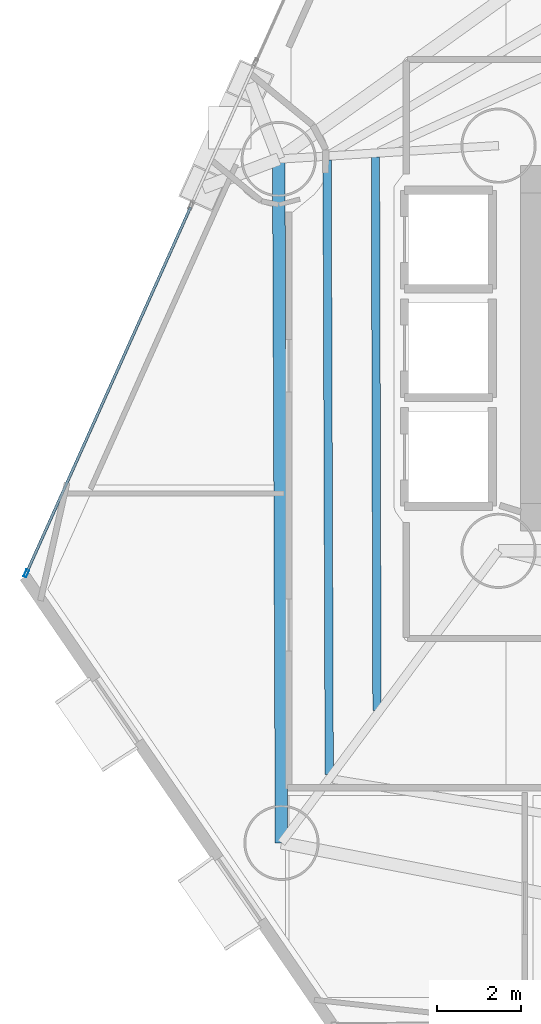
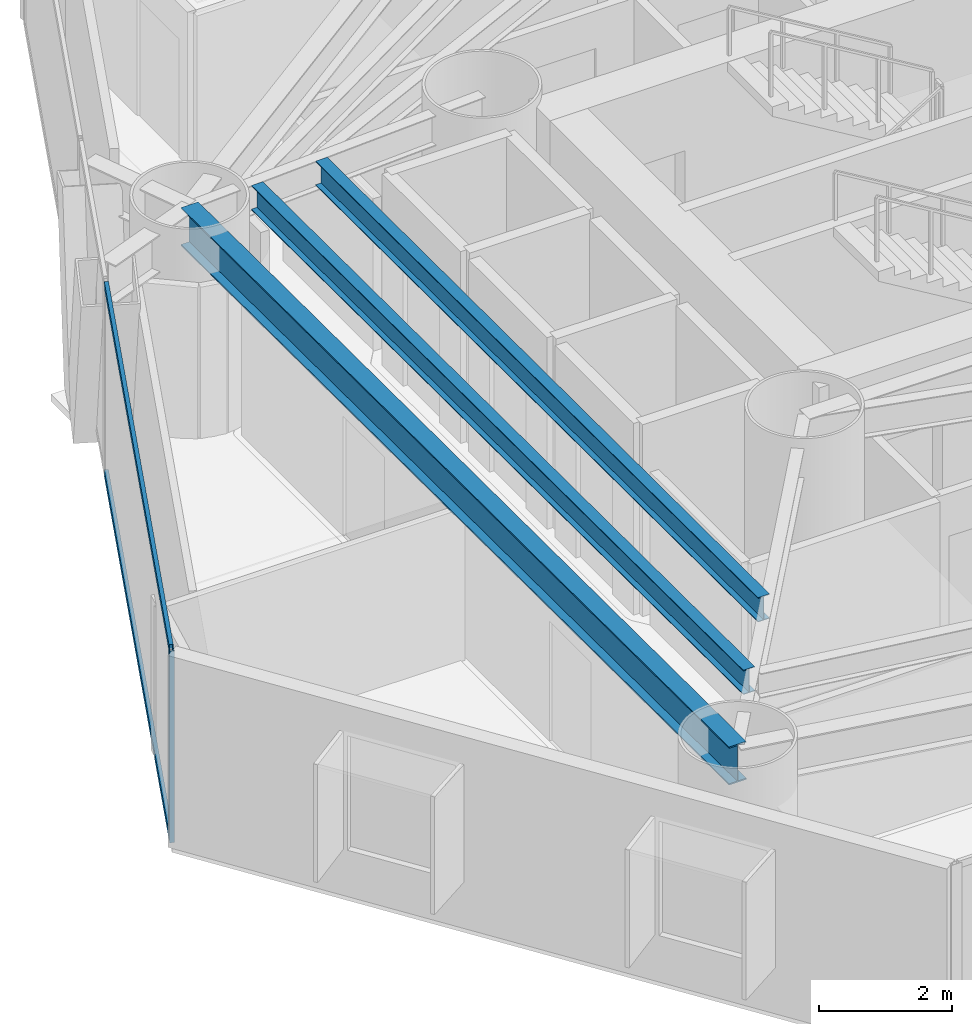
# One storey, part 4 of 22: 3 beams, 3 members, 1 element without a shape of its own.
"""IFC4 building model written with IfcOpenShell, lengths in metres."""

from ifc_helpers import new_model, si_unit, direction, frame, origin, origin_2d, place, context, subcontext, project, spatial, hollow_rectangle, i_section, extrude, material, layer, layer_set, material_profile, profile_set, type_object, element, aggregate, save


model = new_model("IFC4")

# Units and contexts
model_context = context("Model", 3, precision=1e-05, world=origin(), true_north=direction((0.0, 1.0)))
body_context = subcontext(model_context, "Body", "Model", "MODEL_VIEW")
ifc_project = project(units=[si_unit("LENGTHUNIT", "METRE"), si_unit("AREAUNIT", "SQUARE_METRE"), si_unit("VOLUMEUNIT", "CUBIC_METRE"), si_unit("PLANEANGLEUNIT", "RADIAN"), si_unit("MASSUNIT", "GRAM", prefix="KILO")], contexts=[model_context])

# Site, building, storey
site_placement = place(None, origin())
site = spatial("IfcSite", under=ifc_project, at=site_placement, CompositionType="ELEMENT")
building_placement = place(site_placement, origin())
building = spatial("IfcBuilding", under=site, at=building_placement, Name="Qianvela Tower", CompositionType="ELEMENT")
storey_placement = place(building_placement, frame((0.0, 0.0, 40.5)))
storey = spatial("IfcBuildingStorey", under=building, at=storey_placement, Name="L09", CompositionType="ELEMENT", Elevation=40.5)

# Beams
ifc_material_1 = material(Name="Steel Q355B", Category="steel")
ifc_material_profile_1 = material_profile(ifc_material_1, i_section(OverallWidth=0.199951171875, OverallDepth=0.449951171875, WebThickness=0.009033203125, FlangeThickness=0.013916015625, at=origin_2d()), Name="HN450x200x9x14")
ifc_profile_set_1 = profile_set([ifc_material_profile_1], Name="Steel Q355B")
beam_type_1 = type_object("IfcBeamType", Name="BM-HN450-JOIST", PredefinedType="JOIST", material=ifc_profile_set_1)
beam_1_placement = place(storey_placement, frame((25.653564453125, 33.273681640625, 3.29296875), z_axis=(0.002747039783, -0.999996226879, 0.0), x_axis=(0.999996226879, 0.002747039783, 0.0)))
element("IfcBeam", 1, at=beam_1_placement, inside=storey, type_object=beam_type_1, Name="L09 Secondary Composite Floor Joist 4.2", PredefinedType="JOIST", context=body_context, shape_type="SweptSolid", body=[
    extrude(i_section(OverallWidth=0.199951171875, OverallDepth=0.449951171875, WebThickness=0.009033203125, FlangeThickness=0.013916015625, at=origin_2d()), origin(), (0.0, 0.0, 1.0), 13.2421875),
])
beam_2_placement = place(storey_placement, frame((24.49609375, 33.202880859375, 3.29296875), z_axis=(0.003452376186, -0.999994040532, 0.0), x_axis=(0.999994040532, 0.003452376186, 0.0)))
element("IfcBeam", 2, at=beam_2_placement, inside=storey, type_object=beam_type_1, Name="L09 Secondary Composite Floor Joist 4.3", PredefinedType="JOIST", context=body_context, shape_type="SweptSolid", body=[
    extrude(i_section(OverallWidth=0.199951171875, OverallDepth=0.449951171875, WebThickness=0.009033203125, FlangeThickness=0.013916015625, at=origin_2d()), origin(), (0.0, 0.0, 1.0), 14.708984375),
])
ifc_material_2 = material(Name="Steel Q355B", Category="steel")
ifc_material_profile_2 = material_profile(ifc_material_2, i_section(OverallWidth=0.300048828125, OverallDepth=0.699951171875, WebThickness=0.012939453125, FlangeThickness=0.02392578125, at=origin_2d()), Name="HN700x300x13x24")
ifc_profile_set_2 = profile_set([ifc_material_profile_2], Name="Steel Q355B")
beam_type_2 = type_object("IfcBeamType", Name="BM-HN700-SPAND", PredefinedType="SPANDREL", material=ifc_profile_set_2)
beam_3_placement = place(storey_placement, frame((23.337890625, 33.22802734375, 3.16796875), z_axis=(0.004042148861, -0.999991830483, 0.0), x_axis=(0.999991830483, 0.004042148861, 0.0)))
element("IfcBeam", 3, at=beam_3_placement, inside=storey, type_object=beam_type_2, Name="L09 Perimeter Ring Spandrel Girder 4", PredefinedType="SPANDREL", context=body_context, shape_type="SweptSolid", body=[
    extrude(i_section(OverallWidth=0.300048828125, OverallDepth=0.699951171875, WebThickness=0.012939453125, FlangeThickness=0.02392578125, at=origin_2d()), origin(), (0.0, 0.0, 1.0), 16.3681640625),
])

# Curtain wall, members
ifc_material_3 = material(Name="Anodised Architectural Aluminium and Low-E Glass", Category="aluminium")
ifc_layer = layer(ifc_material_3, 0.179931640625)
ifc_layer_set = layer_set([ifc_layer], Name="Anodised Architectural Aluminium and Low-E Glass")
curtain_wall_type = type_object("IfcCurtainWallType", Name="CW-COLIV-Z12", PredefinedType="USERDEFINED", material=ifc_layer_set)
curtain_wall_placement = place(storey_placement, origin())
curtain_wall = element("IfcCurtainWall", 4, at=curtain_wall_placement, inside=storey, type_object=curtain_wall_type, Name="L09 CW-COLIV-Z12 Curtain Wall 04C", ObjectType="CURTAIN_WALL_SYSTEM", PredefinedType="USERDEFINED")
ifc_material_4 = material(Name="Anodised Architectural Aluminium 6063-T6", Category="aluminium")
ifc_material_profile_3 = material_profile(ifc_material_4, hollow_rectangle(XDim=0.070068359375, YDim=0.179931640625, WallThickness=0.0048828125, at=origin_2d()), Name="ALU-MULL-70x180")
ifc_profile_set_3 = profile_set([ifc_material_profile_3], Name="Anodised Architectural Aluminium 6063-T6")
member_type_1 = type_object("IfcMemberType", Name="CW-COLIV-Z12-MULL", PredefinedType="MULLION", material=ifc_profile_set_3)
member_1_placement = place(storey_placement, frame((17.295166015625, 23.30908203125, 0.0), z_axis=(0.0, 0.0, 1.0), x_axis=(0.912408415339, -0.409280934835, 0.0)))
member_1 = element("IfcMember", 5, at=member_1_placement, type_object=member_type_1, Name="CW-3 mullion 2", PredefinedType="MULLION", context=body_context, shape_type="SweptSolid", body=[
    extrude(hollow_rectangle(XDim=0.070068359375, YDim=0.179931640625, WallThickness=0.0048828125, at=origin_2d()), origin(), (0.0, 0.0, 1.0), 3.52001953125),
])
ifc_material_5 = material(Name="Anodised Architectural Aluminium 6063-T6", Category="aluminium")
ifc_material_profile_4 = material_profile(ifc_material_5, hollow_rectangle(XDim=0.06494140625, YDim=0.1298828125, WallThickness=0.00439453125, at=origin_2d()), Name="ALU-TRAN-65x130")
ifc_profile_set_4 = profile_set([ifc_material_profile_4], Name="Anodised Architectural Aluminium 6063-T6")
member_type_2 = type_object("IfcMemberType", Name="CW-COLIV-Z12-TRAN", PredefinedType="USERDEFINED", material=ifc_profile_set_4)
member_2_placement = place(storey_placement, frame((21.22607421875, 32.072265625, 0.032470703125), z_axis=(-0.409274922729, -0.912411112178, 0.0), x_axis=(0.912411112178, -0.409274922729, 0.0)))
member_2 = element("IfcMember", 6, at=member_2_placement, type_object=member_type_2, Name="CW-3 transom 1.1", ObjectType="TRANSOM", PredefinedType="USERDEFINED", context=body_context, shape_type="SweptSolid", body=[
    extrude(hollow_rectangle(XDim=0.06494140625, YDim=0.1298828125, WallThickness=0.00439453125, at=origin_2d()), origin(), (0.0, 0.0, 1.0), 9.5693359375),
])
member_3_placement = place(storey_placement, frame((21.22607421875, 32.072265625, 3.487548828125), z_axis=(-0.409274922729, -0.912411112178, 0.0), x_axis=(0.912411112178, -0.409274922729, 0.0)))
member_3 = element("IfcMember", 7, at=member_3_placement, type_object=member_type_2, Name="CW-3 transom 1.2", ObjectType="TRANSOM", PredefinedType="USERDEFINED", context=body_context, shape_type="SweptSolid", body=[
    extrude(hollow_rectangle(XDim=0.06494140625, YDim=0.1298828125, WallThickness=0.00439453125, at=origin_2d()), origin(), (0.0, 0.0, 1.0), 9.5693359375),
])
aggregate(curtain_wall, [member_1, member_2, member_3])

save(model, "model.ifc")
